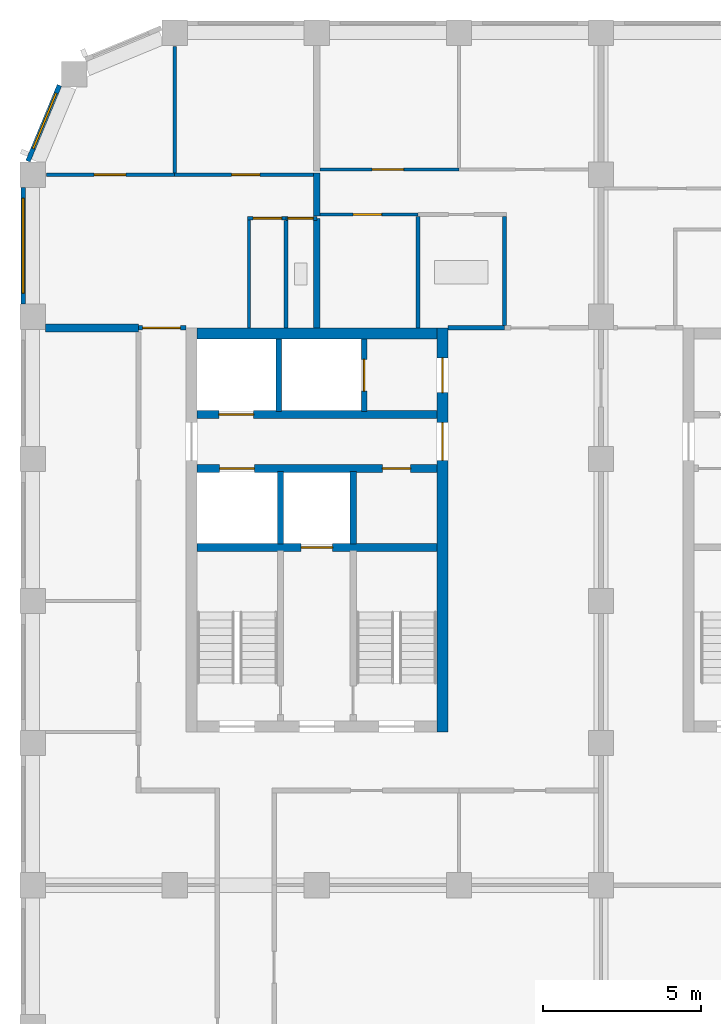
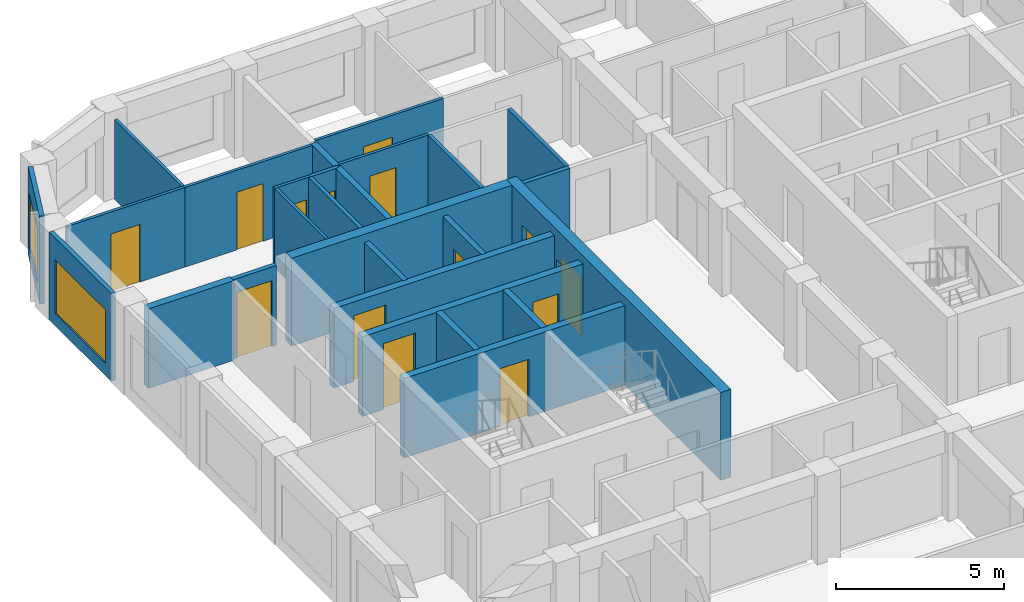
# One storey, part 5 of 10: 27 walls, 14 doors, 2 windows, 16 openings.
"""IFC4 building model written with IfcOpenShell, lengths in metres."""

from ifc_helpers import new_model, si_unit, direction, frame, frame_2d, origin, place, context, subcontext, project, spatial, rectangle, extrude, material, layer, layer_set, type_object, element, fill, save


model = new_model("IFC4")

# Units and contexts
model_context = context("Model", 3, precision=1e-05, world=origin(), true_north=direction((0.0, 1.0)))
body_context = subcontext(model_context, "Body", "Model", "MODEL_VIEW")
ifc_project = project(units=[si_unit("LENGTHUNIT", "METRE"), si_unit("AREAUNIT", "SQUARE_METRE"), si_unit("VOLUMEUNIT", "CUBIC_METRE"), si_unit("PLANEANGLEUNIT", "RADIAN"), si_unit("MASSUNIT", "GRAM", prefix="KILO")], contexts=[model_context])

# Site, building, storey
site_placement = place(None, origin())
site = spatial("IfcSite", under=ifc_project, at=site_placement, CompositionType="ELEMENT")
building_placement = place(site_placement, origin())
building = spatial("IfcBuilding", under=site, at=building_placement, Name="Girih Gate Residences", CompositionType="ELEMENT")
storey_placement = place(building_placement, frame((0.0, 0.0, 210.094970703125)))
storey = spatial("IfcBuildingStorey", under=building, at=storey_placement, Name="L58", CompositionType="ELEMENT", Elevation=210.094970703125)

# Wall
ifc_material_1 = material(Name="Gypsum board on steel studs", Category="steel")
ifc_layer_1 = layer(ifc_material_1, 0.25)
ifc_layer_set_1 = layer_set([ifc_layer_1], Name="Acoustic separating wall 250 mm")
wall_type_1 = type_object("IfcWallType", Name="Acoustic separating wall 250 mm", PredefinedType="PARTITIONING", material=ifc_layer_set_1)
wall_1_placement = place(storey_placement, frame((0.39990234375, 40.14990234375, 0.0), z_axis=(0.0, 0.0, 1.0), x_axis=(1.0, 0.0, 0.0)))
element("IfcWall", 1, at=wall_1_placement, inside=storey, type_object=wall_type_1, Name="L58 partition", PredefinedType="PARTITIONING", context=body_context, shape_type="SweptSolid", body=[
    extrude(rectangle(XDim=2.9501953125, YDim=0.25, at=frame_2d((1.47509765625, 0.0))), origin(), (0.0, 0.0, 1.0), 2.900146484375),
])

# Wall, opening, door
ifc_layer_2 = layer(ifc_material_1, 0.14990234375)
ifc_layer_set_2 = layer_set([ifc_layer_2], Name="Compartment wall 150 mm")
wall_type_2 = type_object("IfcWallType", Name="Compartment wall 150 mm", PredefinedType="PARTITIONING", material=ifc_layer_set_2)
wall_2_placement = place(storey_placement, frame((3.35009765625, 40.14990234375, 0.0), z_axis=(0.0, 0.0, 1.0), x_axis=(1.0, 0.0, 0.0)))
wall_2 = element("IfcWall", 2, at=wall_2_placement, inside=storey, type_object=wall_type_2, Name="L58 partition", PredefinedType="PARTITIONING", context=body_context, shape_type="SweptSolid", body=[
    extrude(rectangle(XDim=1.5, YDim=0.14990234375, at=frame_2d((0.75, 0.0))), origin(), (0.0, 0.0, 1.0), 2.900146484375),
])
opening_1_placement = place(wall_2_placement, frame((0.1298828125, 0.0, 0.0)))
opening_1 = element("IfcOpeningElement", 3, at=opening_1_placement, cuts=wall_2, Name="Opening A58-011", PredefinedType="OPENING", context=body_context, shape_type="SweptSolid", body=[
    extrude(rectangle(XDim=1.199951171875, YDim=2.39990234375, at=frame_2d((0.60009765625, 1.199951171875))), frame((0.0, 0.0849609375, 0.0), z_axis=(0.0, -1.0, 0.0), x_axis=(1.0, 0.0, 0.0)), (0.0, 0.0, 1.0), 0.169921875),
])
ifc_material_2 = material(Name="Timber, fire-rated core", Category="wood")
door_type_1 = type_object("IfcDoorType", Name="Villa entrance door 1200x2400 FD30S", OperationType="NOTDEFINED", PredefinedType="DOOR", material=ifc_material_2)
door_1_placement = place(opening_1_placement, origin())
door_1 = element("IfcDoor", 4, at=door_1_placement, inside=storey, type_object=door_type_1, Name="Door A58-011", OperationType="SINGLE_SWING_LEFT", OverallHeight=2.39990234375, OverallWidth=1.199951171875, PredefinedType="DOOR", context=body_context, shape_type="SweptSolid", body=[
    extrude(rectangle(XDim=1.199951171875, YDim=2.39990234375, at=frame_2d((0.60009765625, 1.199951171875))), frame((0.0, 0.02490234375, 0.0), z_axis=(0.0, -1.0, 0.0), x_axis=(1.0, 0.0, 0.0)), (0.0, 0.0, 1.0), 0.050048828125),
])
fill(opening_1, door_1)

# Walls
wall_3_placement = place(storey_placement, frame((13.14990234375, 40.14990234375, 0.0), z_axis=(0.0, 0.0, 1.0), x_axis=(1.0, 0.0, 0.0)))
element("IfcWall", 5, at=wall_3_placement, inside=storey, type_object=wall_type_2, Name="L58 partition", PredefinedType="PARTITIONING", context=body_context, shape_type="SweptSolid", body=[
    extrude(rectangle(XDim=1.800048828125, YDim=0.14990234375, at=frame_2d((0.89990234375, 0.0))), origin(), (0.0, 0.0, 1.0), 2.900146484375),
])
ifc_material_3 = material(Name="Concrete C60/75", Category="concrete")
ifc_layer_3 = layer(ifc_material_3, 0.35009765625)
ifc_layer_set_3 = layer_set([ifc_layer_3], Name="Core wall RC 350 Concrete C60/75")
wall_type_3 = type_object("IfcWallType", Name="Core wall RC 350 Concrete C60/75", PredefinedType="SOLIDWALL", material=ifc_layer_set_3)
wall_4_placement = place(storey_placement, frame((5.199951171875, 39.97509765625, 0.0), z_axis=(0.0, 0.0, 1.0), x_axis=(1.0, 0.0, 0.0)))
element("IfcWall", 6, at=wall_4_placement, inside=storey, type_object=wall_type_3, Name="Core wall W-N L58", PredefinedType="SOLIDWALL", context=body_context, shape_type="SweptSolid", body=[
    extrude(rectangle(XDim=7.60009765625, YDim=0.35009765625, at=frame_2d((3.800048828125, 0.0))), origin(), (0.0, 0.0, 1.0), 3.199951171875),
])

# Wall, openings, doors
wall_5_placement = place(storey_placement, frame((12.97509765625, 27.35009765625, 0.0), z_axis=(0.0, 0.0, 1.0), x_axis=(0.0, 1.0, 0.0)))
wall_5 = element("IfcWall", 7, at=wall_5_placement, inside=storey, type_object=wall_type_3, Name="Core wall W-E L58", PredefinedType="SOLIDWALL", context=body_context, shape_type="SweptSolid", body=[
    extrude(rectangle(XDim=12.7998046875, YDim=0.35009765625, at=frame_2d((6.39990234375, 0.0))), origin(), (0.0, 0.0, 1.0), 3.199951171875),
])
opening_2_placement = place(wall_5_placement, frame((10.75, 0.0, 0.0)))
opening_2 = element("IfcOpeningElement", 8, at=opening_2_placement, cuts=wall_5, Name="Opening D-L58-W-011", PredefinedType="OPENING", context=body_context, shape_type="SweptSolid", body=[
    extrude(rectangle(XDim=1.10009765625, YDim=2.10009765625, at=frame_2d((0.550048828125, 1.050048828125))), frame((0.0, 0.18505859375, 0.0), z_axis=(0.0, -1.0, 0.0), x_axis=(1.0, 0.0, 0.0)), (0.0, 0.0, 1.0), 0.3701171875),
])
opening_3_placement = place(wall_5_placement, frame((8.60009765625, 0.0, 0.0)))
opening_3 = element("IfcOpeningElement", 9, at=opening_3_placement, cuts=wall_5, Name="Opening D-L58-W-013", PredefinedType="OPENING", context=body_context, shape_type="SweptSolid", body=[
    extrude(rectangle(XDim=1.199951171875, YDim=2.10009765625, at=frame_2d((0.60009765625, 1.050048828125))), frame((0.0, 0.18505859375, 0.0), z_axis=(0.0, -1.0, 0.0), x_axis=(1.0, 0.0, 0.0)), (0.0, 0.0, 1.0), 0.3701171875),
])
ifc_material_4 = material(Name="Painted steel, fire-resisting", Category="steel")
door_type_2 = type_object("IfcDoorType", Name="Fire door 1100x2100", OperationType="SINGLE_SWING_LEFT", PredefinedType="DOOR", material=ifc_material_4)
door_2_placement = place(opening_2_placement, origin())
door_2 = element("IfcDoor", 10, at=door_2_placement, inside=storey, type_object=door_type_2, Name="L58 W core door ffl2-e", OperationType="SINGLE_SWING_LEFT", OverallHeight=2.10009765625, OverallWidth=1.10009765625, PredefinedType="DOOR", context=body_context, shape_type="SweptSolid", body=[
    extrude(rectangle(XDim=1.10009765625, YDim=2.10009765625, at=frame_2d((0.550048828125, 1.050048828125))), frame((0.0, 0.02490234375, 0.0), z_axis=(0.0, -1.0, 0.0), x_axis=(1.0, 0.0, 0.0)), (0.0, 0.0, 1.0), 0.050048828125),
])
fill(opening_2, door_2)
door_type_3 = type_object("IfcDoorType", Name="Fire door 1200x2100", OperationType="SINGLE_SWING_LEFT", PredefinedType="DOOR", material=ifc_material_4)
door_3_placement = place(opening_3_placement, origin())
door_3 = element("IfcDoor", 11, at=door_3_placement, inside=storey, type_object=door_type_3, Name="L58 W core door ll-e", OperationType="SINGLE_SWING_LEFT", OverallHeight=2.10009765625, OverallWidth=1.199951171875, PredefinedType="DOOR", context=body_context, shape_type="SweptSolid", body=[
    extrude(rectangle(XDim=1.199951171875, YDim=2.10009765625, at=frame_2d((0.60009765625, 1.050048828125))), frame((0.0, 0.02490234375, 0.0), z_axis=(0.0, -1.0, 0.0), x_axis=(1.0, 0.0, 0.0)), (0.0, 0.0, 1.0), 0.050048828125),
])
fill(opening_3, door_3)

# Wall, opening, door
ifc_material_5 = material(Name="Concrete C40/50", Category="concrete")
ifc_layer_4 = layer(ifc_material_5, 0.25)
ifc_layer_set_4 = layer_set([ifc_layer_4], Name="Lift shaft wall 250")
wall_type_4 = type_object("IfcWallType", Name="Lift shaft wall 250", PredefinedType="SOLIDWALL", material=ifc_layer_set_4)
wall_6_placement = place(storey_placement, frame((5.199951171875, 33.199951171875, 0.0), z_axis=(0.0, 0.0, 1.0), x_axis=(1.0, 0.0, 0.0)))
wall_6 = element("IfcWall", 12, at=wall_6_placement, inside=storey, type_object=wall_type_4, Name="L58 W core wall H1", PredefinedType="SOLIDWALL", context=body_context, shape_type="SweptSolid", body=[
    extrude(rectangle(XDim=7.60009765625, YDim=0.25, at=frame_2d((3.800048828125, 0.0))), origin(), (0.0, 0.0, 1.0), 2.900146484375),
])
opening_4_placement = place(wall_6_placement, frame((3.300048828125, 0.0, 0.0)))
opening_4 = element("IfcOpeningElement", 13, at=opening_4_placement, cuts=wall_6, Name="Opening D-L58-W-006", PredefinedType="OPENING", context=body_context, shape_type="SweptSolid", body=[
    extrude(rectangle(XDim=1.0, YDim=2.10009765625, at=frame_2d((0.5, 1.050048828125))), frame((0.0, 0.135009765625, 0.0), z_axis=(0.0, -1.0, 0.0), x_axis=(1.0, 0.0, 0.0)), (0.0, 0.0, 1.0), 0.27001953125),
])
ifc_material_6 = material(Name="Stainless steel, fire-resisting", Category="steel")
door_type_4 = type_object("IfcDoorType", Name="Firefighting lift landing door 1000x2100", OperationType="SLIDING_TO_LEFT", PredefinedType="DOOR", material=ifc_material_6)
door_4_placement = place(opening_4_placement, origin())
door_4 = element("IfcDoor", 14, at=door_4_placement, inside=storey, type_object=door_type_4, Name="L58 lift FF-W landing door", OperationType="SLIDING_TO_LEFT", OverallHeight=2.10009765625, OverallWidth=1.0, PredefinedType="DOOR", context=body_context, shape_type="SweptSolid", body=[
    extrude(rectangle(XDim=1.0, YDim=2.10009765625, at=frame_2d((0.5, 1.050048828125))), frame((0.0, 0.02490234375, 0.0), z_axis=(0.0, -1.0, 0.0), x_axis=(1.0, 0.0, 0.0)), (0.0, 0.0, 1.0), 0.050048828125),
])
fill(opening_4, door_4)

# Wall, openings, doors
wall_7_placement = place(storey_placement, frame((5.199951171875, 35.699951171875, 0.0), z_axis=(0.0, 0.0, 1.0), x_axis=(1.0, 0.0, 0.0)))
wall_7 = element("IfcWall", 15, at=wall_7_placement, inside=storey, type_object=wall_type_4, Name="L58 W core wall H2", PredefinedType="SOLIDWALL", context=body_context, shape_type="SweptSolid", body=[
    extrude(rectangle(XDim=7.60009765625, YDim=0.25, at=frame_2d((3.800048828125, 0.0))), origin(), (0.0, 0.0, 1.0), 2.900146484375),
])
opening_5_placement = place(wall_7_placement, frame((0.72509765625, 0.0, 0.0)))
opening_5 = element("IfcOpeningElement", 16, at=opening_5_placement, cuts=wall_7, Name="Opening D-L58-W-005", PredefinedType="OPENING", context=body_context, shape_type="SweptSolid", body=[
    extrude(rectangle(XDim=1.10009765625, YDim=2.39990234375, at=frame_2d((0.550048828125, 1.199951171875))), frame((0.0, 0.135009765625, 0.0), z_axis=(0.0, -1.0, 0.0), x_axis=(1.0, 0.0, 0.0)), (0.0, 0.0, 1.0), 0.27001953125),
])
opening_6_placement = place(wall_7_placement, frame((5.875, 0.0, 0.0)))
opening_6 = element("IfcOpeningElement", 17, at=opening_6_placement, cuts=wall_7, Name="Opening D-L58-W-007", PredefinedType="OPENING", context=body_context, shape_type="SweptSolid", body=[
    extrude(rectangle(XDim=0.89990234375, YDim=2.10009765625, at=frame_2d((0.449951171875, 1.050048828125))), frame((0.0, 0.135009765625, 0.0), z_axis=(0.0, -1.0, 0.0), x_axis=(1.0, 0.0, 0.0)), (0.0, 0.0, 1.0), 0.27001953125),
])
door_type_5 = type_object("IfcDoorType", Name="Fire door 900x2100", OperationType="SINGLE_SWING_LEFT", PredefinedType="DOOR", material=ifc_material_4)
door_5_placement = place(opening_6_placement, origin())
door_5 = element("IfcDoor", 18, at=door_5_placement, inside=storey, type_object=door_type_5, Name="L58 W housekeeping store door", OperationType="SINGLE_SWING_LEFT", OverallHeight=2.10009765625, OverallWidth=0.89990234375, PredefinedType="DOOR", context=body_context, shape_type="SweptSolid", body=[
    extrude(rectangle(XDim=0.89990234375, YDim=2.10009765625, at=frame_2d((0.449951171875, 1.050048828125))), frame((0.0, 0.02490234375, 0.0), z_axis=(0.0, -1.0, 0.0), x_axis=(1.0, 0.0, 0.0)), (0.0, 0.0, 1.0), 0.050048828125),
])
fill(opening_6, door_5)
ifc_material_7 = material(Name="Stainless steel", Category="steel")
door_type_6 = type_object("IfcDoorType", Name="Lift landing door 1100x2400", OperationType="SLIDING_TO_LEFT", PredefinedType="DOOR", material=ifc_material_7)
door_6_placement = place(opening_5_placement, origin())
door_6 = element("IfcDoor", 19, at=door_6_placement, inside=storey, type_object=door_type_6, Name="L58 lift HR-W1 landing door", OperationType="SLIDING_TO_LEFT", OverallHeight=2.39990234375, OverallWidth=1.10009765625, PredefinedType="DOOR", context=body_context, shape_type="SweptSolid", body=[
    extrude(rectangle(XDim=1.10009765625, YDim=2.39990234375, at=frame_2d((0.550048828125, 1.199951171875))), frame((0.0, 0.02490234375, 0.0), z_axis=(0.0, -1.0, 0.0), x_axis=(1.0, 0.0, 0.0)), (0.0, 0.0, 1.0), 0.050048828125),
])
fill(opening_5, door_6)

# Wall, opening, door
wall_8_placement = place(storey_placement, frame((5.199951171875, 37.39990234375, 0.0), z_axis=(0.0, 0.0, 1.0), x_axis=(1.0, 0.0, 0.0)))
wall_8 = element("IfcWall", 20, at=wall_8_placement, inside=storey, type_object=wall_type_4, Name="L58 W core wall H3", PredefinedType="SOLIDWALL", context=body_context, shape_type="SweptSolid", body=[
    extrude(rectangle(XDim=7.60009765625, YDim=0.25, at=frame_2d((3.800048828125, 0.0))), origin(), (0.0, 0.0, 1.0), 2.900146484375),
])
opening_7_placement = place(wall_8_placement, frame((0.699951171875, 0.0, 0.0)))
opening_7 = element("IfcOpeningElement", 21, at=opening_7_placement, cuts=wall_8, Name="Opening D-L58-W-003", PredefinedType="OPENING", context=body_context, shape_type="SweptSolid", body=[
    extrude(rectangle(XDim=1.10009765625, YDim=2.39990234375, at=frame_2d((0.550048828125, 1.199951171875))), frame((0.0, 0.135009765625, 0.0), z_axis=(0.0, -1.0, 0.0), x_axis=(1.0, 0.0, 0.0)), (0.0, 0.0, 1.0), 0.27001953125),
])
door_7_placement = place(opening_7_placement, origin())
door_7 = element("IfcDoor", 22, at=door_7_placement, inside=storey, type_object=door_type_6, Name="L58 lift LR-W1 landing door", OperationType="SLIDING_TO_LEFT", OverallHeight=2.39990234375, OverallWidth=1.10009765625, PredefinedType="DOOR", context=body_context, shape_type="SweptSolid", body=[
    extrude(rectangle(XDim=1.10009765625, YDim=2.39990234375, at=frame_2d((0.550048828125, 1.199951171875))), frame((0.0, 0.02490234375, 0.0), z_axis=(0.0, -1.0, 0.0), x_axis=(1.0, 0.0, 0.0)), (0.0, 0.0, 1.0), 0.050048828125),
])
fill(opening_7, door_7)

ifc_layer_5 = layer(ifc_material_1, 0.10009765625)
ifc_layer_set_5 = layer_set([ifc_layer_5], Name="Partition 100 mm")
wall_type_5 = type_object("IfcWallType", Name="Partition 100 mm", PredefinedType="PARTITIONING", material=ifc_layer_set_5)
wall_9_placement = place(storey_placement, frame((4.5, 45.0, 0.0), z_axis=(0.0, 0.0, 1.0), x_axis=(1.0, 0.0, 0.0)))
wall_9 = element("IfcWall", 23, at=wall_9_placement, inside=storey, type_object=wall_type_5, Name="L58 partition", PredefinedType="PARTITIONING", context=body_context, shape_type="SweptSolid", body=[
    extrude(rectangle(XDim=4.39990234375, YDim=0.10009765625, at=frame_2d((2.199951171875, 0.0))), origin(), (0.0, 0.0, 1.0), 2.900146484375),
])
opening_8_placement = place(wall_9_placement, frame((1.800048828125, 0.0, 0.0)))
opening_8 = element("IfcOpeningElement", 24, at=opening_8_placement, cuts=wall_9, Name="Opening A58-008", PredefinedType="OPENING", context=body_context, shape_type="SweptSolid", body=[
    extrude(rectangle(XDim=0.89990234375, YDim=2.10009765625, at=frame_2d((0.449951171875, 1.050048828125))), frame((0.0, 0.06005859375, 0.0), z_axis=(0.0, -1.0, 0.0), x_axis=(1.0, 0.0, 0.0)), (0.0, 0.0, 1.0), 0.1201171875),
])
ifc_material_8 = material(Name="Timber", Category="wood")
door_type_7 = type_object("IfcDoorType", Name="Bedroom door 900x2100", OperationType="NOTDEFINED", PredefinedType="DOOR", material=ifc_material_8)
door_8_placement = place(opening_8_placement, origin())
door_8 = element("IfcDoor", 25, at=door_8_placement, inside=storey, type_object=door_type_7, Name="Door A58-008", OperationType="SINGLE_SWING_RIGHT", OverallHeight=2.10009765625, OverallWidth=0.89990234375, PredefinedType="DOOR", context=body_context, shape_type="SweptSolid", body=[
    extrude(rectangle(XDim=0.89990234375, YDim=2.10009765625, at=frame_2d((0.449951171875, 1.050048828125))), frame((0.0, 0.02490234375, 0.0), z_axis=(0.0, -1.0, 0.0), x_axis=(1.0, 0.0, 0.0)), (0.0, 0.0, 1.0), 0.050048828125),
])
fill(opening_8, door_8)

# Wall
wall_10_placement = place(storey_placement, frame((4.5, 45.050048828125, 0.0), z_axis=(0.0, 0.0, 1.0), x_axis=(0.0, 1.0, 0.0)))
element("IfcWall", 26, at=wall_10_placement, inside=storey, type_object=wall_type_5, Name="L58 partition", PredefinedType="PARTITIONING", context=body_context, shape_type="SweptSolid", body=[
    extrude(rectangle(XDim=4.01708984375, YDim=0.10009765625, at=frame_2d((2.008544921875, 0.0))), origin(), (0.0, 0.0, 1.0), 2.900146484375),
])

# Wall, opening, door
wall_11_placement = place(storey_placement, frame((8.022705078125, 43.6201171875, 0.0), z_axis=(0.0, 0.0, 1.0), x_axis=(-1.0, 0.0, 0.0)))
wall_11 = element("IfcWall", 27, at=wall_11_placement, inside=storey, type_object=wall_type_5, Name="L58 partition", PredefinedType="PARTITIONING", context=body_context, shape_type="SweptSolid", body=[
    extrude(rectangle(XDim=1.22265625, YDim=0.10009765625, at=frame_2d((0.611328125, 0.0))), origin(), (0.0, 0.0, 1.0), 2.900146484375),
])
opening_9_placement = place(wall_11_placement, frame((0.136474609375, 0.0, 0.0)))
opening_9 = element("IfcOpeningElement", 28, at=opening_9_placement, cuts=wall_11, Name="Opening A58-009", PredefinedType="OPENING", context=body_context, shape_type="SweptSolid", body=[
    extrude(rectangle(XDim=0.89990234375, YDim=2.10009765625, at=frame_2d((0.449951171875, 1.050048828125))), frame((0.0, 0.06005859375, 0.0), z_axis=(0.0, -1.0, 0.0), x_axis=(1.0, 0.0, 0.0)), (0.0, 0.0, 1.0), 0.1201171875),
])
door_type_8 = type_object("IfcDoorType", Name="Kitchen door 900x2100", OperationType="NOTDEFINED", PredefinedType="DOOR", material=ifc_material_8)
door_9_placement = place(opening_9_placement, origin())
door_9 = element("IfcDoor", 29, at=door_9_placement, inside=storey, type_object=door_type_8, Name="Door A58-009", OperationType="SINGLE_SWING_LEFT", OverallHeight=2.10009765625, OverallWidth=0.89990234375, PredefinedType="DOOR", context=body_context, shape_type="SweptSolid", body=[
    extrude(rectangle(XDim=0.89990234375, YDim=2.10009765625, at=frame_2d((0.449951171875, 1.050048828125))), frame((0.0, 0.02490234375, 0.0), z_axis=(0.0, -1.0, 0.0), x_axis=(1.0, 0.0, 0.0)), (0.0, 0.0, 1.0), 0.050048828125),
])
fill(opening_9, door_9)

# Wall
wall_12_placement = place(storey_placement, frame((6.85009765625, 40.14990234375, 0.0), z_axis=(0.0, 0.0, 1.0), x_axis=(0.0, 1.0, 0.0)))
element("IfcWall", 30, at=wall_12_placement, inside=storey, type_object=wall_type_5, Name="L58 partition", PredefinedType="PARTITIONING", context=body_context, shape_type="SweptSolid", body=[
    extrude(rectangle(XDim=3.420166015625, YDim=0.10009765625, at=frame_2d((1.7099609375, 0.0))), origin(), (0.0, 0.0, 1.0), 2.900146484375),
])

# Wall, opening, door
wall_13_placement = place(storey_placement, frame((0.432861328125, 45.0, 0.0), z_axis=(0.0, 0.0, 1.0), x_axis=(1.0, 0.0, 0.0)))
wall_13 = element("IfcWall", 31, at=wall_13_placement, inside=storey, type_object=wall_type_5, Name="L58 partition", PredefinedType="PARTITIONING", context=body_context, shape_type="SweptSolid", body=[
    extrude(rectangle(XDim=4.067138671875, YDim=0.10009765625, at=frame_2d((2.03369140625, 0.0))), origin(), (0.0, 0.0, 1.0), 2.900146484375),
])
opening_10_placement = place(wall_13_placement, frame((1.51708984375, 0.0, 0.0)))
opening_10 = element("IfcOpeningElement", 32, at=opening_10_placement, cuts=wall_13, Name="Opening A58-010", PredefinedType="OPENING", context=body_context, shape_type="SweptSolid", body=[
    extrude(rectangle(XDim=1.0, YDim=2.10009765625, at=frame_2d((0.5, 1.050048828125))), frame((0.0, 0.06005859375, 0.0), z_axis=(0.0, -1.0, 0.0), x_axis=(1.0, 0.0, 0.0)), (0.0, 0.0, 1.0), 0.1201171875),
])
door_type_9 = type_object("IfcDoorType", Name="Living room door 1000x2100", OperationType="NOTDEFINED", PredefinedType="DOOR", material=ifc_material_8)
door_10_placement = place(opening_10_placement, origin())
door_10 = element("IfcDoor", 33, at=door_10_placement, inside=storey, type_object=door_type_9, Name="Door A58-010", OperationType="SINGLE_SWING_LEFT", OverallHeight=2.10009765625, OverallWidth=1.0, PredefinedType="DOOR", context=body_context, shape_type="SweptSolid", body=[
    extrude(rectangle(XDim=1.0, YDim=2.10009765625, at=frame_2d((0.5, 1.050048828125))), frame((0.0, 0.02490234375, 0.0), z_axis=(0.0, -1.0, 0.0), x_axis=(1.0, 0.0, 0.0)), (0.0, 0.0, 1.0), 0.050048828125),
])
fill(opening_10, door_10)

wall_14_placement = place(storey_placement, frame((12.200927734375, 43.739990234375, 0.0), z_axis=(0.0, 0.0, 1.0), x_axis=(-1.0, 0.0, 0.0)))
wall_14 = element("IfcWall", 34, at=wall_14_placement, inside=storey, type_object=wall_type_5, Name="L58 partition", PredefinedType="PARTITIONING", context=body_context, shape_type="SweptSolid", body=[
    extrude(rectangle(XDim=3.100830078125, YDim=0.10009765625, at=frame_2d((1.55029296875, 0.0))), origin(), (0.0, 0.0, 1.0), 2.900146484375),
])
opening_11_placement = place(wall_14_placement, frame((1.150390625, 0.0, 0.0)))
opening_11 = element("IfcOpeningElement", 35, at=opening_11_placement, cuts=wall_14, Name="Opening A58-014", PredefinedType="OPENING", context=body_context, shape_type="SweptSolid", body=[
    extrude(rectangle(XDim=0.89990234375, YDim=2.10009765625, at=frame_2d((0.449951171875, 1.050048828125))), frame((0.0, 0.06005859375, 0.0), z_axis=(0.0, -1.0, 0.0), x_axis=(1.0, 0.0, 0.0)), (0.0, 0.0, 1.0), 0.1201171875),
])
door_11_placement = place(opening_11_placement, origin())
door_11 = element("IfcDoor", 36, at=door_11_placement, inside=storey, type_object=door_type_8, Name="Door A58-014", OperationType="SINGLE_SWING_RIGHT", OverallHeight=2.10009765625, OverallWidth=0.89990234375, PredefinedType="DOOR", context=body_context, shape_type="SweptSolid", body=[
    extrude(rectangle(XDim=0.89990234375, YDim=2.10009765625, at=frame_2d((0.449951171875, 1.050048828125))), frame((0.0, 0.02490234375, 0.0), z_axis=(0.0, -1.0, 0.0), x_axis=(1.0, 0.0, 0.0)), (0.0, 0.0, 1.0), 0.050048828125),
])
fill(opening_11, door_11)

wall_15_placement = place(storey_placement, frame((9.10009765625, 45.159912109375, 0.0), z_axis=(0.0, 0.0, 1.0), x_axis=(1.0, 0.0, 0.0)))
wall_15 = element("IfcWall", 37, at=wall_15_placement, inside=storey, type_object=wall_type_5, Name="L58 partition", PredefinedType="PARTITIONING", context=body_context, shape_type="SweptSolid", body=[
    extrude(rectangle(XDim=4.39990234375, YDim=0.10009765625, at=frame_2d((2.199951171875, 0.0))), origin(), (0.0, 0.0, 1.0), 2.900146484375),
])
opening_12_placement = place(wall_15_placement, frame((1.64990234375, 0.0, 0.0)))
opening_12 = element("IfcOpeningElement", 38, at=opening_12_placement, cuts=wall_15, Name="Opening A58-015", PredefinedType="OPENING", context=body_context, shape_type="SweptSolid", body=[
    extrude(rectangle(XDim=1.0, YDim=2.10009765625, at=frame_2d((0.5, 1.050048828125))), frame((0.0, 0.06005859375, 0.0), z_axis=(0.0, -1.0, 0.0), x_axis=(1.0, 0.0, 0.0)), (0.0, 0.0, 1.0), 0.1201171875),
])
door_12_placement = place(opening_12_placement, origin())
door_12 = element("IfcDoor", 39, at=door_12_placement, inside=storey, type_object=door_type_9, Name="Door A58-015", OperationType="SINGLE_SWING_LEFT", OverallHeight=2.10009765625, OverallWidth=1.0, PredefinedType="DOOR", context=body_context, shape_type="SweptSolid", body=[
    extrude(rectangle(XDim=1.0, YDim=2.10009765625, at=frame_2d((0.5, 1.050048828125))), frame((0.0, 0.02490234375, 0.0), z_axis=(0.0, -1.0, 0.0), x_axis=(1.0, 0.0, 0.0)), (0.0, 0.0, 1.0), 0.050048828125),
])
fill(opening_12, door_12)

# Walls
ifc_layer_6 = layer(ifc_material_1, 0.199951171875)
ifc_layer_set_6 = layer_set([ifc_layer_6], Name="Party wall 200 mm")
wall_type_6 = type_object("IfcWallType", Name="Party wall 200 mm", PredefinedType="PARTITIONING", material=ifc_layer_set_6)
wall_16_placement = place(storey_placement, frame((9.0, 40.14990234375, 0.0), z_axis=(0.0, 0.0, 1.0), x_axis=(0.0, 1.0, 0.0)))
element("IfcWall", 40, at=wall_16_placement, inside=storey, type_object=wall_type_6, Name="L58 partition", PredefinedType="PARTITIONING", context=body_context, shape_type="SweptSolid", body=[
    extrude(rectangle(XDim=3.47021484375, YDim=0.199951171875, at=frame_2d((1.735107421875, 0.0))), origin(), (0.0, 0.0, 1.0), 2.900146484375),
])
wall_17_placement = place(storey_placement, frame((9.0, 43.68994140625, 0.0), z_axis=(0.0, 0.0, 1.0), x_axis=(0.0, 1.0, 0.0)))
element("IfcWall", 41, at=wall_17_placement, inside=storey, type_object=wall_type_6, Name="L58 partition", PredefinedType="PARTITIONING", context=body_context, shape_type="SweptSolid", body=[
    extrude(rectangle(XDim=1.360107421875, YDim=0.199951171875, at=frame_2d((0.68017578125, 0.0))), origin(), (0.0, 0.0, 1.0), 2.900146484375),
])

# Wall, opening, window
ifc_material_9 = material(Name="Precast concrete C50/60", Category="concrete")
ifc_layer_7 = layer(ifc_material_9, 0.050048828125, Name="Outer leaf")
ifc_material_10 = material(Name="Rigid PIR insulation")
ifc_layer_8 = layer(ifc_material_10, 0.06005859375, Name="Insulation")
ifc_material_11 = material(Name="Precast concrete C40/50", Category="concrete")
ifc_layer_9 = layer(ifc_material_11, 0.0400390625, Name="Inner leaf")
ifc_layer_set_7 = layer_set([ifc_layer_7, ifc_layer_8, ifc_layer_9], Name="Precast concrete C50/60 external wall 150")
wall_type_7 = type_object("IfcWallType", Name="Precast concrete C50/60 external wall 150", PredefinedType="SOLIDWALL", material=ifc_layer_set_7)
wall_18_placement = place(storey_placement, frame((-0.147216796875, 45.4287109375, 0.0), z_axis=(0.0, 0.0, 1.0), x_axis=(0.382669406082, 0.923885342263, 0.0)))
wall_18 = element("IfcWall", 42, at=wall_18_placement, inside=storey, type_object=wall_type_7, Name="External wall NW0013_0482.0", PredefinedType="SOLIDWALL", context=body_context, shape_type="SweptSolid", body=[
    extrude(rectangle(XDim=2.602294921875, YDim=0.14990234375, at=frame_2d((1.30126953125, 0.0))), origin(), (0.0, 0.0, 1.0), 3.199951171875),
])
opening_13_placement = place(wall_18_placement, frame((0.432373046875, 0.0, 0.449951171875)))
opening_13 = element("IfcOpeningElement", 43, at=opening_13_placement, cuts=wall_18, Name="Opening W-2G", PredefinedType="OPENING", context=body_context, shape_type="SweptSolid", body=[
    extrude(rectangle(XDim=1.89990234375, YDim=1.949951171875, at=frame_2d((0.949951171875, 0.97509765625))), frame((0.0, 0.0849609375, 0.0), z_axis=(0.0, -1.0, 0.0), x_axis=(1.0, 0.0, 0.0)), (0.0, 0.0, 1.0), 0.169921875),
])
ifc_material_12 = material(Name="Double glazing in aluminium frame", Category="aluminium")
window_type_1 = type_object("IfcWindowType", Name="Window W-2G 1900x1950", PartitioningType="SINGLE_PANEL", PredefinedType="WINDOW", material=ifc_material_12)
window_1_placement = place(opening_13_placement, origin())
window_1 = element("IfcWindow", 44, at=window_1_placement, inside=storey, type_object=window_type_1, Name="Window W-2G NW0013_0482.0", OverallHeight=1.949951171875, OverallWidth=1.89990234375, PartitioningType="SINGLE_PANEL", PredefinedType="WINDOW", context=body_context, shape_type="SweptSolid", body=[
    extrude(rectangle(XDim=1.89990234375, YDim=1.949951171875, at=frame_2d((0.949951171875, 0.97509765625))), frame((0.0, 0.030029296875, 0.0), z_axis=(0.0, -1.0, 0.0), x_axis=(1.0, 0.0, 0.0)), (0.0, 0.0, 1.0), 0.06005859375),
])
fill(opening_13, window_1)

wall_19_placement = place(storey_placement, frame((-0.300048828125, 40.89990234375, 0.0), z_axis=(0.0, 0.0, 1.0), x_axis=(0.0, 1.0, 0.0)))
wall_19 = element("IfcWall", 45, at=wall_19_placement, inside=storey, type_object=wall_type_7, Name="External wall W0000_0450.0", PredefinedType="SOLIDWALL", context=body_context, shape_type="SweptSolid", body=[
    extrude(rectangle(XDim=3.7001953125, YDim=0.14990234375, at=frame_2d((1.85009765625, 0.0))), origin(), (0.0, 0.0, 1.0), 3.199951171875),
])
opening_14_placement = place(wall_19_placement, frame((0.35009765625, 0.0, 0.449951171875)))
opening_14 = element("IfcOpeningElement", 46, at=opening_14_placement, cuts=wall_19, Name="Opening W-1D", PredefinedType="OPENING", context=body_context, shape_type="SweptSolid", body=[
    extrude(rectangle(XDim=3.0, YDim=1.949951171875, at=frame_2d((1.5, 0.97509765625))), frame((0.0, 0.0849609375, 0.0), z_axis=(0.0, -1.0, 0.0), x_axis=(1.0, 0.0, 0.0)), (0.0, 0.0, 1.0), 0.169921875),
])
window_type_2 = type_object("IfcWindowType", Name="Window W-1D 3000x1950", PartitioningType="SINGLE_PANEL", PredefinedType="WINDOW", material=ifc_material_12)
window_2_placement = place(opening_14_placement, origin())
window_2 = element("IfcWindow", 47, at=window_2_placement, inside=storey, type_object=window_type_2, Name="Window W-1D W0000_0450.0", OverallHeight=1.949951171875, OverallWidth=3.0, PartitioningType="SINGLE_PANEL", PredefinedType="WINDOW", context=body_context, shape_type="SweptSolid", body=[
    extrude(rectangle(XDim=3.0, YDim=1.949951171875, at=frame_2d((1.5, 0.97509765625))), frame((0.0, 0.030029296875, 0.0), z_axis=(0.0, -1.0, 0.0), x_axis=(1.0, 0.0, 0.0)), (0.0, 0.0, 1.0), 0.06005859375),
])
fill(opening_14, window_2)

# Wall
ifc_layer_10 = layer(ifc_material_5, 0.175048828125)
ifc_layer_set_8 = layer_set([ifc_layer_10], Name="Riser shaft wall 175")
wall_type_8 = type_object("IfcWallType", Name="Riser shaft wall 175", PredefinedType="SOLIDWALL", material=ifc_layer_set_8)
wall_20_placement = place(storey_placement, frame((7.800048828125, 37.5, 0.0), z_axis=(0.0, 0.0, 1.0), x_axis=(0.0, 1.0, 0.0)))
element("IfcWall", 48, at=wall_20_placement, inside=storey, type_object=wall_type_8, Name="L58 W core wall V1c", PredefinedType="SOLIDWALL", context=body_context, shape_type="SweptSolid", body=[
    extrude(rectangle(XDim=2.300048828125, YDim=0.175048828125, at=frame_2d((1.14990234375, 0.0))), origin(), (0.0, 0.0, 1.0), 2.900146484375),
])

# Wall, opening, door
wall_21_placement = place(storey_placement, frame((10.5, 37.5, 0.0), z_axis=(0.0, 0.0, 1.0), x_axis=(0.0, 1.0, 0.0)))
wall_21 = element("IfcWall", 49, at=wall_21_placement, inside=storey, type_object=wall_type_8, Name="L58 W core wall V2c", PredefinedType="SOLIDWALL", context=body_context, shape_type="SweptSolid", body=[
    extrude(rectangle(XDim=2.300048828125, YDim=0.175048828125, at=frame_2d((1.14990234375, 0.0))), origin(), (0.0, 0.0, 1.0), 2.900146484375),
])
opening_15_placement = place(wall_21_placement, frame((0.64990234375, 0.0, 0.0)))
opening_15 = element("IfcOpeningElement", 50, at=opening_15_placement, cuts=wall_21, Name="Opening D-L58-W-004", PredefinedType="OPENING", context=body_context, shape_type="SweptSolid", body=[
    extrude(rectangle(XDim=1.0, YDim=2.10009765625, at=frame_2d((0.5, 1.050048828125))), frame((0.0, 0.097412109375, 0.0), z_axis=(0.0, -1.0, 0.0), x_axis=(1.0, 0.0, 0.0)), (0.0, 0.0, 1.0), 0.195068359375),
])
door_13_placement = place(opening_15_placement, origin())
door_13 = element("IfcDoor", 51, at=door_13_placement, inside=storey, type_object=door_type_4, Name="L58 lift FF-W2 landing door", OperationType="SLIDING_TO_LEFT", OverallHeight=2.10009765625, OverallWidth=1.0, PredefinedType="DOOR", context=body_context, shape_type="SweptSolid", body=[
    extrude(rectangle(XDim=1.0, YDim=2.10009765625, at=frame_2d((0.5, 1.050048828125))), frame((0.0, 0.02490234375, 0.0), z_axis=(0.0, -1.0, 0.0), x_axis=(1.0, 0.0, 0.0)), (0.0, 0.0, 1.0), 0.050048828125),
])
fill(opening_15, door_13)

# Walls
ifc_layer_11 = layer(ifc_material_5, 0.199951171875)
ifc_layer_set_9 = layer_set([ifc_layer_11], Name="Shaft wall 200")
wall_type_9 = type_object("IfcWallType", Name="Shaft wall 200", PredefinedType="SOLIDWALL", material=ifc_layer_set_9)
for number, where, z_axis, x_axis, name in (
    (52, (7.85009765625, 33.300048828125, 0.0), (0.0, 0.0, 1.0), (0.0, 1.0, 0.0), "L58 W core wall V1b"),
    (53, (10.14990234375, 33.300048828125, 0.0), (0.0, 0.0, 1.0), (0.0, 1.0, 0.0), "L58 W core wall V2b"),
):
    element("IfcWall", number, at=place(storey_placement, frame(where, z_axis=z_axis, x_axis=x_axis)), inside=storey, type_object=wall_type_9, Name=name, PredefinedType="SOLIDWALL", context=body_context, shape_type="SweptSolid", body=[
        extrude(rectangle(XDim=2.300048828125, YDim=0.199951171875, at=frame_2d((1.14990234375, 0.0))), origin(), (0.0, 0.0, 1.0), 2.900146484375),
    ])

# Wall, opening, door
ifc_layer_12 = layer(ifc_material_1, 0.125)
ifc_layer_set_10 = layer_set([ifc_layer_12], Name="Wet room wall 125 mm")
wall_type_10 = type_object("IfcWallType", Name="Wet room wall 125 mm", PredefinedType="PARTITIONING", material=ifc_layer_set_10)
wall_22_placement = place(storey_placement, frame((9.0, 43.6201171875, 0.0), z_axis=(0.0, 0.0, 1.0), x_axis=(-1.0, 0.0, 0.0)))
wall_22 = element("IfcWall", 54, at=wall_22_placement, inside=storey, type_object=wall_type_10, Name="L58 partition", PredefinedType="PARTITIONING", context=body_context, shape_type="SweptSolid", body=[
    extrude(rectangle(XDim=0.977294921875, YDim=0.125, at=frame_2d((0.48876953125, 0.0))), origin(), (0.0, 0.0, 1.0), 2.900146484375),
])
opening_16_placement = place(wall_22_placement, frame((0.1201171875, 0.0, 0.0)))
opening_16 = element("IfcOpeningElement", 55, at=opening_16_placement, cuts=wall_22, Name="Opening A58-007", PredefinedType="OPENING", context=body_context, shape_type="SweptSolid", body=[
    extrude(rectangle(XDim=0.800048828125, YDim=2.10009765625, at=frame_2d((0.39990234375, 1.050048828125))), frame((0.0, 0.072509765625, 0.0), z_axis=(0.0, -1.0, 0.0), x_axis=(1.0, 0.0, 0.0)), (0.0, 0.0, 1.0), 0.14501953125),
])
door_type_10 = type_object("IfcDoorType", Name="Bathroom door 800x2100", OperationType="NOTDEFINED", PredefinedType="DOOR", material=ifc_material_8)
door_14_placement = place(opening_16_placement, origin())
door_14 = element("IfcDoor", 56, at=door_14_placement, inside=storey, type_object=door_type_10, Name="Door A58-007", OperationType="SINGLE_SWING_LEFT", OverallHeight=2.10009765625, OverallWidth=0.800048828125, PredefinedType="DOOR", context=body_context, shape_type="SweptSolid", body=[
    extrude(rectangle(XDim=0.800048828125, YDim=2.10009765625, at=frame_2d((0.39990234375, 1.050048828125))), frame((0.0, 0.02490234375, 0.0), z_axis=(0.0, -1.0, 0.0), x_axis=(1.0, 0.0, 0.0)), (0.0, 0.0, 1.0), 0.050048828125),
])
fill(opening_16, door_14)

# Walls
wall_23_placement = place(storey_placement, frame((8.02294921875, 40.14990234375, 0.0), z_axis=(0.0, 0.0, 1.0), x_axis=(0.0, 1.0, 0.0)))
element("IfcWall", 57, at=wall_23_placement, inside=storey, type_object=wall_type_10, Name="L58 partition", PredefinedType="PARTITIONING", context=body_context, shape_type="SweptSolid", body=[
    extrude(rectangle(XDim=3.40771484375, YDim=0.125, at=frame_2d((1.703857421875, 0.0))), origin(), (0.0, 0.0, 1.0), 2.900146484375),
])
wall_24_placement = place(storey_placement, frame((14.949951171875, 40.22509765625, 0.0), z_axis=(0.0, 0.0, 1.0), x_axis=(0.0, 1.0, 0.0)))
element("IfcWall", 58, at=wall_24_placement, inside=storey, type_object=wall_type_10, Name="L58 partition", PredefinedType="PARTITIONING", context=body_context, shape_type="SweptSolid", body=[
    extrude(rectangle(XDim=3.452392578125, YDim=0.125, at=frame_2d((1.72607421875, 0.0))), origin(), (0.0, 0.0, 1.0), 2.900146484375),
])
wall_25_placement = place(storey_placement, frame((12.200927734375, 40.14990234375, 0.0), z_axis=(0.0, 0.0, 1.0), x_axis=(0.0, 1.0, 0.0)))
element("IfcWall", 59, at=wall_25_placement, inside=storey, type_object=wall_type_10, Name="L58 partition", PredefinedType="PARTITIONING", context=body_context, shape_type="SweptSolid", body=[
    extrude(rectangle(XDim=3.527587890625, YDim=0.125, at=frame_2d((1.763671875, 0.0))), origin(), (0.0, 0.0, 1.0), 2.900146484375),
])

save(model, "model.ifc")
